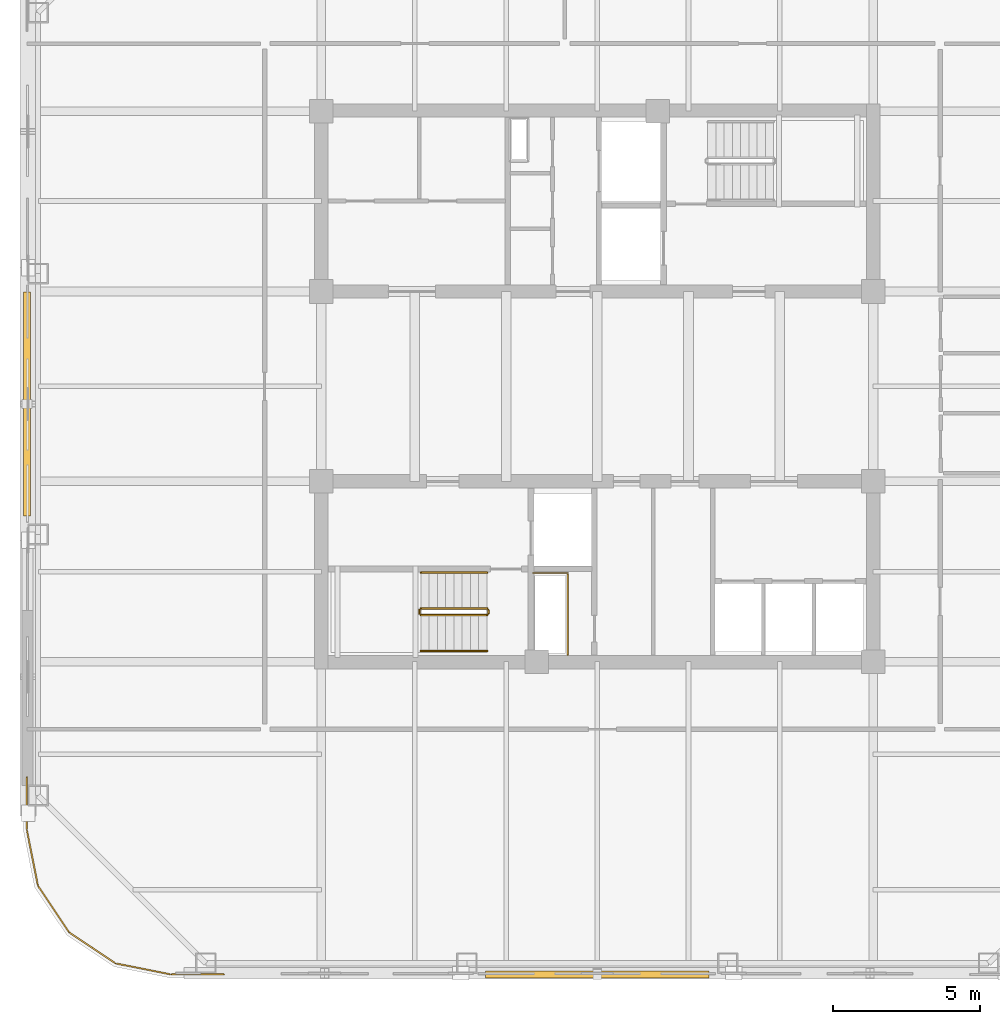
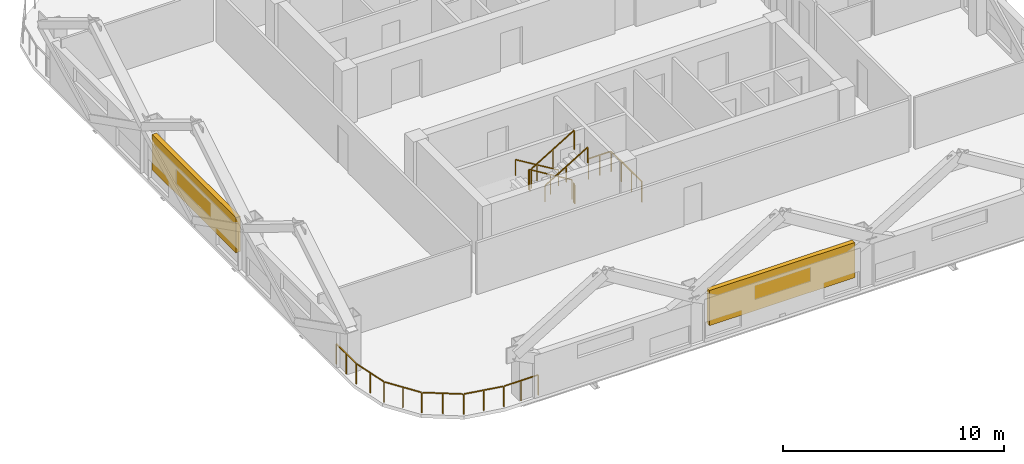
# One storey, part 7 of 9: 8 railings, 2 shading devices.
"""IFC4 building model written with IfcOpenShell, lengths in metres."""

import ifcopenshell
import ifcopenshell.guid

model = None  # the IFC model being written
_history = None  # IfcOwnerHistory: only IFC2X3 demands one
_inside = {}  # id of a spatial element -> (the spatial element, [elements in it])
_under = {}  # id of a project, library or spatial element -> (it, [spatial elements below it])
_declared = {}  # id of a project -> (the project, [libraries it declares])
_typed = {}  # id of a type object -> (the type object, [elements of that type])
_made_of = {}  # id of a material, layer set ... -> (it, [elements and type objects made of it])


def new_model(schema):
    """Start an empty IFC model of exactly this schema.

    Asked for "IFC4X3", IfcOpenShell would pick the latest addendum, in which some entities
    have other attributes; the version numbers below select the first issue.
    IFC2X3 requires an IfcOwnerHistory on every rooted entity: one is made here for all.
    """
    global model, _history
    if schema == "IFC4X3":
        model = ifcopenshell.file(schema_version=(4, 3, 0, 0))
    else:
        model = ifcopenshell.file(schema=schema)
    _inside.clear()
    _under.clear()
    _declared.clear()
    _typed.clear()
    _made_of.clear()
    _history = None
    if model.schema == "IFC2X3":
        org = make("IfcOrganization", Name="unknown")
        user = make(
            "IfcPersonAndOrganization",
            ThePerson=make("IfcPerson", FamilyName="unknown"),
            TheOrganization=org,
        )
        app = make(
            "IfcApplication",
            ApplicationDeveloper=org,
            Version="unknown",
            ApplicationFullName="unknown",
            ApplicationIdentifier="unknown",
        )
        _history = make(
            "IfcOwnerHistory",
            OwningUser=user,
            OwningApplication=app,
            ChangeAction="ADDED",
            CreationDate=0,
        )
    return model


def make(cls, **values):
    """One entity of the class cls with the attributes given. An attribute that is None is left unset."""
    return model.create_entity(
        cls, **{name: value for name, value in values.items() if value is not None}
    )


def rooted(cls, **values):
    """An entity with a GlobalId (a new one), such as an element, a storey or a relation."""
    return make(cls, GlobalId=ifcopenshell.guid.new(), OwnerHistory=_history, **values)


def si_unit(unit_type, name, prefix=None):
    """IfcSIUnit, for example si_unit("LENGTHUNIT", "METRE", prefix="MILLI")."""
    return make("IfcSIUnit", UnitType=unit_type, Prefix=prefix, Name=name)


def assignment(units):
    """IfcUnitAssignment: the units of a project."""
    return None if units is None else make("IfcUnitAssignment", Units=units)


def point(xyz):
    """IfcCartesianPoint."""
    return None if xyz is None else make("IfcCartesianPoint", Coordinates=xyz)


def direction(xyz):
    """IfcDirection."""
    return None if xyz is None else make("IfcDirection", DirectionRatios=xyz)


def frame(location, z_axis=None, x_axis=None):
    """IfcAxis2Placement3D, a coordinate frame: its origin and axes. An axis left out is left unset."""
    return make(
        "IfcAxis2Placement3D",
        Location=point(location),
        Axis=direction(z_axis),
        RefDirection=direction(x_axis),
    )


def frame_2d(location, x_axis=None):
    """IfcAxis2Placement2D, a coordinate frame in the plane: its origin and x axis."""
    return make(
        "IfcAxis2Placement2D", Location=point(location), RefDirection=direction(x_axis)
    )


def origin():
    """The frame at (0, 0, 0) with its axes left unset."""
    return frame((0.0, 0.0, 0.0))


def origin_2d():
    """The frame at (0, 0) in the plane with its x axis left unset."""
    return frame_2d((0.0, 0.0))


def place(relative_to, where):
    """IfcLocalPlacement: puts the frame where relative to a parent placement (None: the world)."""
    return make(
        "IfcLocalPlacement", PlacementRelTo=relative_to, RelativePlacement=where
    )


def context(
    kind, dimensions, precision=None, world=None, true_north=None, identifier=None
):
    """IfcGeometricRepresentationContext, for example the 3D "Model" context."""
    return make(
        "IfcGeometricRepresentationContext",
        ContextIdentifier=identifier,
        ContextType=kind,
        CoordinateSpaceDimension=dimensions,
        Precision=precision,
        WorldCoordinateSystem=world,
        TrueNorth=true_north,
    )


def subcontext(parent, identifier, kind, view, scale=None):
    """IfcGeometricRepresentationSubContext, for example "Body" below "Model"."""
    return make(
        "IfcGeometricRepresentationSubContext",
        ContextIdentifier=identifier,
        ContextType=kind,
        ParentContext=parent,
        TargetScale=scale,
        TargetView=view,
    )


def project(units=None, contexts=None):
    """IfcProject with its units and contexts."""
    return rooted(
        "IfcProject",
        Name="project",
        RepresentationContexts=contexts,
        UnitsInContext=assignment(units),
    )


def spatial(cls, under=None, at=None, **own):
    """A site, building, storey or space (cls), placed at a placement, below another one or the project."""
    s = rooted(cls, ObjectPlacement=at, **own)
    if under is not None:
        _under.setdefault(under.id(), (under, []))[1].append(s)
    return s


def profile(cls, at=None, kind="AREA", **sizes):
    """A parametric profile (cls). Its sizes go by their IFC names, for example OverallWidth=200.0."""
    return make(cls, ProfileType=kind, Position=at, **sizes)


def rectangle(**sizes):
    """IfcRectangleProfileDef."""
    return profile("IfcRectangleProfileDef", **sizes)


def extrude(swept, where, along, depth):
    """IfcExtrudedAreaSolid: the profile swept, set in the frame where, extruded along a direction by depth."""
    return make(
        "IfcExtrudedAreaSolid",
        SweptArea=swept,
        Position=where,
        ExtrudedDirection=direction(along),
        Depth=depth,
    )


def shape(context_of_items, identifier, shape_type, items):
    """IfcShapeRepresentation: the items that make up one representation, for example the "Body"."""
    return make(
        "IfcShapeRepresentation",
        ContextOfItems=context_of_items,
        RepresentationIdentifier=identifier,
        RepresentationType=shape_type,
        Items=items,
    )


def material(Name=None, Category=None):
    """IfcMaterial."""
    return make("IfcMaterial", Name=Name, Category=Category)


def made_of(thing, what):
    """Note that an element or type object is made of a material, layer set ...; save() writes the relation."""
    if what is not None:
        _made_of.setdefault(what.id(), (what, []))[1].append(thing)
    return thing


def type_object(cls, material=None, **own):
    """A type object (cls), such as IfcWallType, which elements share."""
    return made_of(rooted(cls, **own), material)


def element(
    cls,
    number,
    at=None,
    inside=None,
    cuts=None,
    type_object=None,
    material=None,
    context=None,
    identifier="Body",
    shape_type=None,
    held_by="IfcProductDefinitionShape",
    body=None,
    shapes=None,
    **own,
):
    """One element of the class cls, such as IfcWall. Its Tag is "e" and its number.

    at: its placement. inside: the storey or other place that contains it. cuts: it is an
    opening in that element (IfcRelVoidsElement). A single representation is given by context,
    identifier, shape_type and body (its items); several are given by shapes. held_by: the class
    of the entity that holds the representations. save() writes the other relations.
    """
    e = rooted(cls, Tag="e%d" % number, ObjectPlacement=at, **own)
    if body is not None:
        shapes = [shape(context, identifier, shape_type, body)]
    if shapes is not None:
        e.Representation = make(held_by, Representations=shapes)
    if inside is not None:
        _inside.setdefault(inside.id(), (inside, []))[1].append(e)
    if cuts is not None:
        rooted(
            "IfcRelVoidsElement", RelatingBuildingElement=cuts, RelatedOpeningElement=e
        )
    if type_object is not None:
        _typed.setdefault(type_object.id(), (type_object, []))[1].append(e)
    return made_of(e, material)


def aggregate(whole, parts):
    """IfcRelAggregates: a whole, such as a stair, and the parts it consists of."""
    return rooted("IfcRelAggregates", RelatingObject=whole, RelatedObjects=parts)


def save(model, path):
    """Write the relations noted so far, then the file.

    IfcRelAggregates (storeys below a building ...), IfcRelContainedInSpatialStructure (elements
    in a storey), IfcRelDefinesByType, IfcRelAssociatesMaterial and IfcRelDeclares: one each for
    every whole, place, type object, material and project.
    """
    for whole, parts in _under.values():
        aggregate(whole, parts)
    for where, things in _inside.values():
        rooted(
            "IfcRelContainedInSpatialStructure",
            RelatedElements=things,
            RelatingStructure=where,
        )
    for kind, things in _typed.values():
        rooted("IfcRelDefinesByType", RelatedObjects=things, RelatingType=kind)
    for what, things in _made_of.values():
        rooted("IfcRelAssociatesMaterial", RelatedObjects=things, RelatingMaterial=what)
    for by, libraries in _declared.values():
        rooted("IfcRelDeclares", RelatingContext=by, RelatedDefinitions=libraries)
    model.write(path)


model = new_model("IFC4")

# Units and contexts
model_context = context("Model", 3, precision=1e-05, world=origin(), true_north=direction((0.0, 1.0)))
body_context = subcontext(model_context, "Body", "Model", "MODEL_VIEW")
ifc_project = project(units=[si_unit("LENGTHUNIT", "METRE"), si_unit("AREAUNIT", "SQUARE_METRE"), si_unit("VOLUMEUNIT", "CUBIC_METRE"), si_unit("PLANEANGLEUNIT", "RADIAN"), si_unit("MASSUNIT", "GRAM", prefix="KILO")], contexts=[model_context])

# Site, building, storey
site_placement = place(None, origin())
site = spatial("IfcSite", under=ifc_project, at=site_placement, CompositionType="ELEMENT")
building_placement = place(site_placement, origin())
building = spatial("IfcBuilding", under=site, at=building_placement, Name="Qhalaya Broadcast Tower", CompositionType="ELEMENT")
storey_placement = place(building_placement, frame((0.0, 0.0, 205.60009765625)))
storey = spatial("IfcBuildingStorey", under=building, at=storey_placement, Name="L60", CompositionType="ELEMENT", Elevation=205.60009765625)

# Railings
ifc_material_1 = material(Name="Powder-Coated Galvanised Steel", Category="steel")
railing_type_1 = type_object("IfcRailingType", Name="Stair Wall Handrail 900", PredefinedType="HANDRAIL", material=ifc_material_1)
railing_1_placement = place(storey_placement, frame((-3.75, -5.72998046875, 0.16943359375)))
element("IfcRailing", 1, at=railing_1_placement, inside=storey, type_object=railing_type_1, Name="L60 ST-2 Stair Handrail 1", PredefinedType="HANDRAIL", context=body_context, shape_type="SweptSolid", body=[
    extrude(rectangle(XDim=0.048095703125, YDim=0.048095703125, at=origin_2d()), frame((0.0, 0.0, 0.8759765625), z_axis=(-0.855553338991, 0.0, 0.51771467445), x_axis=(0.0, -1.0, 0.0)), (0.0, 0.0, 1.0), 2.6181640625),
    extrude(rectangle(XDim=0.0419921875, YDim=0.0419921875, at=origin_2d()), origin(), (0.0, 0.0, 1.0), 0.849853515625),
    extrude(rectangle(XDim=0.0419921875, YDim=0.0419921875, at=origin_2d()), frame((-1.1201171875, 0.0, 0.677734375)), (0.0, 0.0, 1.0), 0.849853515625),
    extrude(rectangle(XDim=0.0419921875, YDim=0.0419921875, at=origin_2d()), frame((-2.239990234375, 0.0, 1.35546875)), (0.0, 0.0, 1.0), 0.849853515625),
])
railing_2_placement = place(storey_placement, frame((-5.989990234375, -8.389892578125, 1.6943359375)))
element("IfcRailing", 2, at=railing_2_placement, inside=storey, type_object=railing_type_1, Name="L60 ST-2 Stair Handrail 2", PredefinedType="HANDRAIL", context=body_context, shape_type="SweptSolid", body=[
    extrude(rectangle(XDim=0.048095703125, YDim=0.048095703125, at=origin_2d()), frame((0.0, 0.0, 0.8759765625), z_axis=(0.855553338991, 0.0, 0.51771467445), x_axis=(0.0, 1.0, 0.0)), (0.0, 0.0, 1.0), 2.6181640625),
    extrude(rectangle(XDim=0.0419921875, YDim=0.0419921875, at=origin_2d()), origin(), (0.0, 0.0, 1.0), 0.849853515625),
    extrude(rectangle(XDim=0.0419921875, YDim=0.0419921875, at=origin_2d()), frame((1.1201171875, 0.0, 0.677734375)), (0.0, 0.0, 1.0), 0.849853515625),
    extrude(rectangle(XDim=0.0419921875, YDim=0.0419921875, at=origin_2d()), frame((2.239990234375, 0.0, 1.35546875)), (0.0, 0.0, 1.0), 0.849853515625),
])
railing_type_2 = type_object("IfcRailingType", Name="Stair Well & Landing Guardrail 1100", PredefinedType="GUARDRAIL", material=ifc_material_1)
railing_3_placement = place(storey_placement, frame((-1.0, -8.52001953125, 0.0)))
element("IfcRailing", 3, at=railing_3_placement, inside=storey, type_object=railing_type_2, Name="L60 Service Riser Opening Safety Guard SRSR", PredefinedType="GUARDRAIL", context=body_context, shape_type="SweptSolid", body=[
    extrude(rectangle(XDim=0.048095703125, YDim=0.048095703125, at=origin_2d()), frame((0.0, 0.0, 1.1259765625), z_axis=(0.0, 1.0, 0.0), x_axis=(-1.0, 0.0, 0.0)), (0.0, 0.0, 1.0), 2.751220703125),
    extrude(rectangle(XDim=0.048095703125, YDim=0.048095703125, at=origin_2d()), frame((-0.02880859375, 2.780029296875, 1.1259765625), z_axis=(-1.0, 0.0, 0.0), x_axis=(0.0, -1.0, 0.0)), (0.0, 0.0, 1.0), 1.151123046875),
    extrude(rectangle(XDim=0.0419921875, YDim=0.0419921875, at=origin_2d()), origin(), (0.0, 0.0, 1.0), 1.099853515625),
    extrude(rectangle(XDim=0.0419921875, YDim=0.0419921875, at=origin_2d()), frame((0.0, 0.9267578125, 0.0)), (0.0, 0.0, 1.0), 1.099853515625),
    extrude(rectangle(XDim=0.0419921875, YDim=0.0419921875, at=origin_2d()), frame((0.0, 1.853271484375, 0.0)), (0.0, 0.0, 1.0), 1.099853515625),
    extrude(rectangle(XDim=0.0419921875, YDim=0.0419921875, at=origin_2d()), frame((0.0, 2.780029296875, 0.0)), (0.0, 0.0, 1.0), 1.099853515625),
    extrude(rectangle(XDim=0.0419921875, YDim=0.0419921875, at=origin_2d()), frame((-0.58984375, 2.780029296875, 0.0)), (0.0, 0.0, 1.0), 1.099853515625),
    extrude(rectangle(XDim=0.0419921875, YDim=0.0419921875, at=origin_2d()), frame((-1.179931640625, 2.780029296875, 0.0)), (0.0, 0.0, 1.0), 1.099853515625),
])
railing_4_placement = place(storey_placement, frame((-3.75, -6.949951171875, 0.16943359375)))
element("IfcRailing", 4, at=railing_4_placement, inside=storey, type_object=railing_type_2, Name="L60 ST-2 Stair Guard 1", PredefinedType="GUARDRAIL", context=body_context, shape_type="SweptSolid", body=[
    extrude(rectangle(XDim=0.048095703125, YDim=0.048095703125, at=origin_2d()), frame((0.0, 0.0, 1.076171875), z_axis=(-0.855553338991, 0.0, 0.51771467445), x_axis=(0.0, -1.0, 0.0)), (0.0, 0.0, 1.0), 2.6181640625),
    extrude(rectangle(XDim=0.0419921875, YDim=0.0419921875, at=origin_2d()), origin(), (0.0, 0.0, 1.0), 1.050048828125),
    extrude(rectangle(XDim=0.0419921875, YDim=0.0419921875, at=origin_2d()), frame((-1.1201171875, 0.0, 0.677734375)), (0.0, 0.0, 1.0), 1.050048828125),
    extrude(rectangle(XDim=0.0419921875, YDim=0.0419921875, at=origin_2d()), frame((-2.239990234375, 0.0, 1.35546875)), (0.0, 0.0, 1.0), 1.050048828125),
])
railing_5_placement = place(storey_placement, frame((-6.0400390625, -7.0, 1.52490234375)))
element("IfcRailing", 5, at=railing_5_placement, inside=storey, type_object=railing_type_2, Name="L60 ST-2 Stair Guard 2", PredefinedType="GUARDRAIL", context=body_context, shape_type="SweptSolid", body=[
    extrude(rectangle(XDim=0.048095703125, YDim=0.048095703125, at=origin_2d()), frame((0.0, 0.0, 1.076171875), z_axis=(0.0, -1.0, 0.0), x_axis=(1.0, 0.0, 0.0)), (0.0, 0.0, 1.0), 0.1201171875),
    extrude(rectangle(XDim=0.0419921875, YDim=0.0419921875, at=origin_2d()), origin(), (0.0, 0.0, 1.0), 1.050048828125),
    extrude(rectangle(XDim=0.0419921875, YDim=0.0419921875, at=origin_2d()), frame((0.0, -0.1201171875, 0.0)), (0.0, 0.0, 1.0), 1.050048828125),
])
railing_6_placement = place(storey_placement, frame((-5.989990234375, -7.169921875, 1.6943359375)))
element("IfcRailing", 6, at=railing_6_placement, inside=storey, type_object=railing_type_2, Name="L60 ST-2 Stair Guard 3", PredefinedType="GUARDRAIL", context=body_context, shape_type="SweptSolid", body=[
    extrude(rectangle(XDim=0.048095703125, YDim=0.048095703125, at=origin_2d()), frame((0.0, 0.0, 1.076171875), z_axis=(0.855553338991, 0.0, 0.51771467445), x_axis=(0.0, 1.0, 0.0)), (0.0, 0.0, 1.0), 2.6181640625),
    extrude(rectangle(XDim=0.0419921875, YDim=0.0419921875, at=origin_2d()), origin(), (0.0, 0.0, 1.0), 1.050048828125),
    extrude(rectangle(XDim=0.0419921875, YDim=0.0419921875, at=origin_2d()), frame((1.1201171875, 0.0, 0.677734375)), (0.0, 0.0, 1.0), 1.050048828125),
    extrude(rectangle(XDim=0.0419921875, YDim=0.0419921875, at=origin_2d()), frame((2.239990234375, 0.0, 1.35546875)), (0.0, 0.0, 1.0), 1.050048828125),
])
railing_7_placement = place(storey_placement, frame((-3.699951171875, -7.0, 0.0)))
element("IfcRailing", 7, at=railing_7_placement, inside=storey, type_object=railing_type_2, Name="L60 ST-2 Stair Guard 4", PredefinedType="GUARDRAIL", context=body_context, shape_type="SweptSolid", body=[
    extrude(rectangle(XDim=0.048095703125, YDim=0.048095703125, at=origin_2d()), frame((0.0, 0.0, 1.076171875), z_axis=(0.0, -1.0, 0.0), x_axis=(1.0, 0.0, 0.0)), (0.0, 0.0, 1.0), 0.1201171875),
    extrude(rectangle(XDim=0.0419921875, YDim=0.0419921875, at=origin_2d()), origin(), (0.0, 0.0, 1.0), 1.050048828125),
    extrude(rectangle(XDim=0.0419921875, YDim=0.0419921875, at=origin_2d()), frame((0.0, -0.1201171875, 0.0)), (0.0, 0.0, 1.0), 1.050048828125),
])
railing_type_3 = type_object("IfcRailingType", Name="Terrace, Sky-Pool & Lookout Glass Balustrade 1150", PredefinedType="BALUSTRADE", material=ifc_material_1)
railing_8_placement = place(storey_placement, frame((-12.681884765625, -19.3798828125, 0.0)))
element("IfcRailing", 8, at=railing_8_placement, inside=storey, type_object=railing_type_3, Name="L60 Rounded Corner Perimeter Guard 02", PredefinedType="BALUSTRADE", context=body_context, shape_type="SweptSolid", body=[
    extrude(rectangle(XDim=0.048095703125, YDim=0.048095703125, at=origin_2d()), frame((0.0, 0.0, 1.1259765625), z_axis=(-1.0, 0.0, 0.0), x_axis=(0.0, -1.0, 0.0)), (0.0, 0.0, 1.0), 1.777587890625),
    extrude(rectangle(XDim=0.048095703125, YDim=0.048095703125, at=origin_2d()), frame((-1.834716796875, 0.005615234375, 1.1259765625), z_axis=(-0.980795810058, 0.195037378397, 0.0), x_axis=(-0.195037378397, -0.980795810058, 0.0)), (0.0, 0.0, 1.0), 1.857421875),
    extrude(rectangle(XDim=0.048095703125, YDim=0.048095703125, at=origin_2d()), frame((-3.708740234375, 0.3896484375, 1.1259765625), z_axis=(-0.831437950597, 0.555617615188, 0.0), x_axis=(-0.555617615188, -0.831437950597, 0.0)), (0.0, 0.0, 1.0), 1.845458984375),
    extrude(rectangle(XDim=0.048095703125, YDim=0.048095703125, at=origin_2d()), frame((-5.283203125, 1.454833984375, 1.1259765625), z_axis=(-0.555617615188, 0.831437950597, 0.0), x_axis=(-0.831437950597, -0.555617615188, 0.0)), (0.0, 0.0, 1.0), 1.845458984375),
    extrude(rectangle(XDim=0.048095703125, YDim=0.048095703125, at=origin_2d()), frame((-6.330078125, 3.04150390625, 1.1259765625), z_axis=(-0.195037378397, 0.980795810058, 0.0), x_axis=(-0.980795810058, -0.195037378397, 0.0)), (0.0, 0.0, 1.0), 1.857421875),
    extrude(rectangle(XDim=0.048095703125, YDim=0.048095703125, at=origin_2d()), frame((-6.697998046875, 4.92041015625, 1.1259765625), z_axis=(0.0, 1.0, 0.0), x_axis=(-1.0, 0.0, 0.0)), (0.0, 0.0, 1.0), 1.777587890625),
    extrude(rectangle(XDim=0.0419921875, YDim=0.0419921875, at=origin_2d()), origin(), (0.0, 0.0, 1.0), 1.099853515625),
    extrude(rectangle(XDim=0.0419921875, YDim=0.0419921875, at=origin_2d()), frame((-0.9033203125, 0.0, 0.0)), (0.0, 0.0, 1.0), 1.099853515625),
    extrude(rectangle(XDim=0.0419921875, YDim=0.0419921875, at=origin_2d()), frame((-1.806396484375, 0.0, 0.0)), (0.0, 0.0, 1.0), 1.099853515625),
    extrude(rectangle(XDim=0.0419921875, YDim=0.0419921875, at=origin_2d()), frame((-2.74560546875, 0.186767578125, 0.0)), (0.0, 0.0, 1.0), 1.099853515625),
    extrude(rectangle(XDim=0.0419921875, YDim=0.0419921875, at=origin_2d()), frame((-3.684814453125, 0.37353515625, 0.0)), (0.0, 0.0, 1.0), 1.099853515625),
    extrude(rectangle(XDim=0.0419921875, YDim=0.0419921875, at=origin_2d()), frame((-4.47607421875, 0.90234375, 0.0)), (0.0, 0.0, 1.0), 1.099853515625),
    extrude(rectangle(XDim=0.0419921875, YDim=0.0419921875, at=origin_2d()), frame((-5.26708984375, 1.430908203125, 0.0)), (0.0, 0.0, 1.0), 1.099853515625),
    extrude(rectangle(XDim=0.0419921875, YDim=0.0419921875, at=origin_2d()), frame((-5.7958984375, 2.22216796875, 0.0)), (0.0, 0.0, 1.0), 1.099853515625),
    extrude(rectangle(XDim=0.0419921875, YDim=0.0419921875, at=origin_2d()), frame((-6.324462890625, 3.01318359375, 0.0)), (0.0, 0.0, 1.0), 1.099853515625),
    extrude(rectangle(XDim=0.0419921875, YDim=0.0419921875, at=origin_2d()), frame((-6.51123046875, 3.952392578125, 0.0)), (0.0, 0.0, 1.0), 1.099853515625),
    extrude(rectangle(XDim=0.0419921875, YDim=0.0419921875, at=origin_2d()), frame((-6.697998046875, 4.8916015625, 0.0)), (0.0, 0.0, 1.0), 1.099853515625),
    extrude(rectangle(XDim=0.0419921875, YDim=0.0419921875, at=origin_2d()), frame((-6.697998046875, 5.794921875, 0.0)), (0.0, 0.0, 1.0), 1.099853515625),
    extrude(rectangle(XDim=0.0419921875, YDim=0.0419921875, at=origin_2d()), frame((-6.697998046875, 6.697998046875, 0.0)), (0.0, 0.0, 1.0), 1.099853515625),
])

# Shading devices
ifc_material_2 = material(Name="Fired Architectural Terracotta", Category="masonry")
shading_device_type = type_object("IfcShadingDeviceType", Name="Terracotta Baguette Solar Screen Assembly TBS-01", PredefinedType="USERDEFINED", material=ifc_material_2)
for number, where, z_axis, x_axis, name in (
    (9, (0.0, -19.3798828125, 0.80078125), (0.0, 0.0, 1.0), (1.0, 0.0, 0.0), "L60 Fired Terracotta Baguette Screen S"),
    (10, (-19.3798828125, 0.0, 0.80078125), (0.0, 0.0, 1.0), (0.0, -1.0, 0.0), "L60 Fired Terracotta Baguette Screen W"),
):
    element("IfcShadingDevice", number, at=place(storey_placement, frame(where, z_axis=z_axis, x_axis=x_axis)), inside=storey, type_object=shading_device_type, Name=name, ObjectType="BAGUETTE", PredefinedType="USERDEFINED", context=body_context, shape_type="SweptSolid", body=[
        extrude(rectangle(XDim=7.60009765625, YDim=0.239990234375, at=origin_2d()), origin(), (0.0, 0.0, 1.0), 1.945068359375),
    ])

save(model, "model.ifc")
